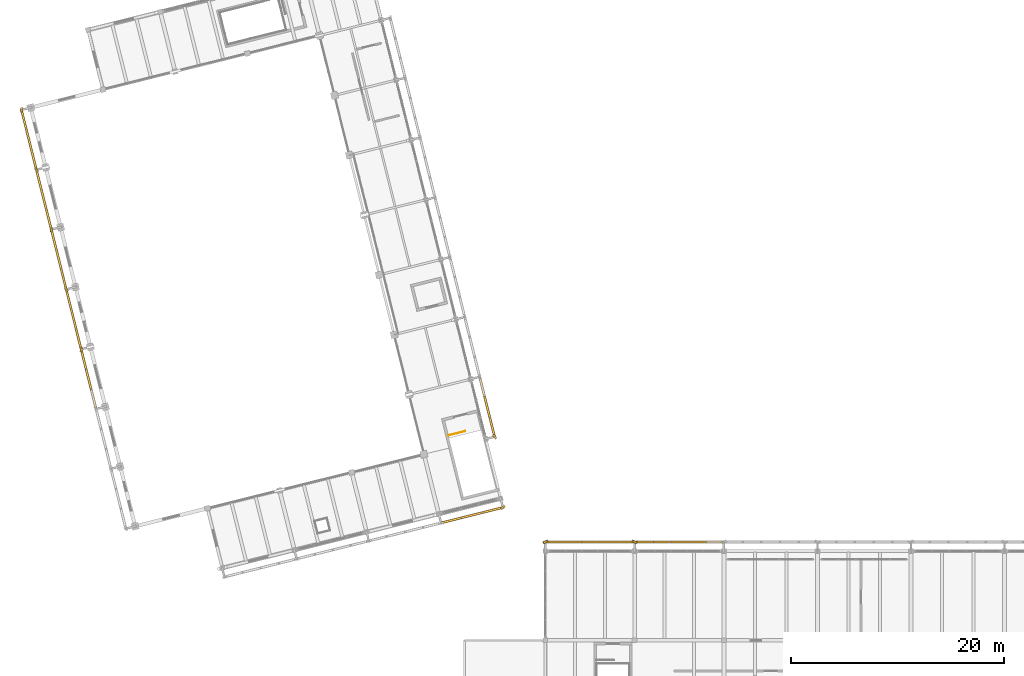
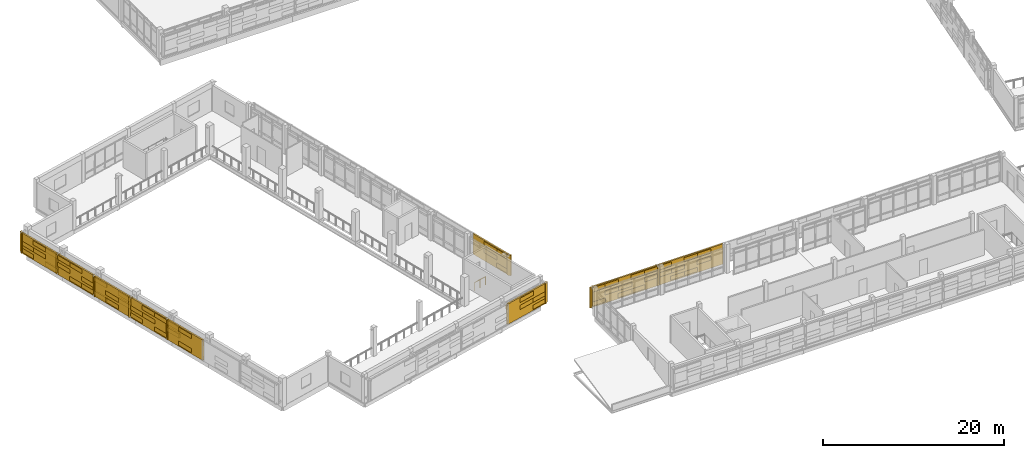
# One storey, part 107 of 117: 64 coverings, 9 shading devices, 1 railing.
"""IFC4 building model written with IfcOpenShell, lengths in metres."""

from ifc_helpers import new_model, si_unit, direction, frame, origin, origin_2d, place, context, subcontext, project, spatial, rectangle, circle, extrude, material, layer, layer_set, type_object, element, save


model = new_model("IFC4")

# Units and contexts
model_context = context("Model", 3, precision=1e-05, world=origin(), true_north=direction((0.0, 1.0)))
body_context = subcontext(model_context, "Body", "Model", "MODEL_VIEW")
ifc_project = project(units=[si_unit("LENGTHUNIT", "METRE"), si_unit("AREAUNIT", "SQUARE_METRE"), si_unit("VOLUMEUNIT", "CUBIC_METRE"), si_unit("PLANEANGLEUNIT", "RADIAN"), si_unit("MASSUNIT", "GRAM", prefix="KILO")], contexts=[model_context])

# Site, building, storey
site_placement = place(None, origin())
site = spatial("IfcSite", under=ifc_project, at=site_placement, CompositionType="ELEMENT")
building_placement = place(site_placement, origin())
building = spatial("IfcBuilding", under=site, at=building_placement, Name="Cinderway Yard Community Centre", CompositionType="ELEMENT")
storey_placement = place(building_placement, frame((0.0, 0.0, 9.0)))
storey = spatial("IfcBuildingStorey", under=building, at=storey_placement, Name="L02", CompositionType="ELEMENT", Elevation=9.0)

# Coverings
ifc_material_1 = material(Name="Brick Masonry", Category="masonry")
ifc_layer = layer(ifc_material_1, 0.18994140625, Name="Brick Masonry")
ifc_layer_set = layer_set([ifc_layer], Name="Brick Masonry")
covering_type = type_object("IfcCoveringType", Name="ENV-COV-BRK-SCREEN", PredefinedType="CLADDING", material=ifc_layer_set)
for number, where, z_axis, x_axis, name in (
    (1, (58.39990234375, 23.64990234375, 0.64990234375), (0.0, 0.0, 1.0), (0.913545457643, 0.406736643076, 0.0), "Deconstructivist folded brick fin 0946"),
    (2, (66.800048828125, 23.64990234375, 0.64990234375), (0.0, 0.0, 1.0), (0.913545457643, -0.406736643076, 0.0), "Deconstructivist folded brick fin 0947"),
):
    element("IfcCovering", number, at=place(storey_placement, frame(where, z_axis=z_axis, x_axis=x_axis)), inside=storey, type_object=covering_type, Name=name, PredefinedType="CLADDING", context=body_context, shape_type="SweptSolid", body=[
        extrude(rectangle(XDim=0.4599609375, YDim=0.199951171875, at=origin_2d()), origin(), (0.0, 0.0, 1.0), 2.75),
    ])
for number, where, z_axis, x_axis, name in (
    (3, (59.239990234375, 23.64990234375, 0.79052734375), (0.0, 0.0, 1.0), (1.0, 0.0, 0.0), "Open-bond perforated brick screen course 00953"),
    (4, (62.60009765625, 23.64990234375, 0.79052734375), (0.0, 0.0, 1.0), (1.0, 0.0, 0.0), "Open-bond perforated brick screen course 00954"),
    (5, (64.280029296875, 23.64990234375, 0.79052734375), (0.0, 0.0, 1.0), (1.0, 0.0, 0.0), "Open-bond perforated brick screen course 00955"),
    (6, (60.919921875, 23.64990234375, 1.736328125), (0.0, 0.0, 1.0), (1.0, 0.0, 0.0), "Open-bond perforated brick screen course 00956"),
    (7, (62.60009765625, 23.64990234375, 1.736328125), (0.0, 0.0, 1.0), (1.0, 0.0, 0.0), "Open-bond perforated brick screen course 00957"),
    (8, (65.9599609375, 23.64990234375, 1.736328125), (0.0, 0.0, 1.0), (1.0, 0.0, 0.0), "Open-bond perforated brick screen course 00958"),
    (9, (59.239990234375, 23.64990234375, 2.6826171875), (0.0, 0.0, 1.0), (1.0, 0.0, 0.0), "Open-bond perforated brick screen course 00959"),
    (10, (60.919921875, 23.64990234375, 2.6826171875), (0.0, 0.0, 1.0), (1.0, 0.0, 0.0), "Open-bond perforated brick screen course 00960"),
    (11, (64.280029296875, 23.64990234375, 2.6826171875), (0.0, 0.0, 1.0), (1.0, 0.0, 0.0), "Open-bond perforated brick screen course 00961"),
    (12, (65.9599609375, 23.64990234375, 2.6826171875), (0.0, 0.0, 1.0), (1.0, 0.0, 0.0), "Open-bond perforated brick screen course 00962"),
    (13, (69.320068359375, 23.64990234375, 0.79052734375), (0.0, 0.0, 1.0), (1.0, 0.0, 0.0), "Open-bond perforated brick screen course 00963"),
    (14, (71.0, 23.64990234375, 0.79052734375), (0.0, 0.0, 1.0), (1.0, 0.0, 0.0), "Open-bond perforated brick screen course 00964"),
    (15, (67.639892578125, 23.64990234375, 1.736328125), (0.0, 0.0, 1.0), (1.0, 0.0, 0.0), "Open-bond perforated brick screen course 00966"),
    (16, (69.320068359375, 23.64990234375, 1.736328125), (0.0, 0.0, 1.0), (1.0, 0.0, 0.0), "Open-bond perforated brick screen course 00967"),
    (17, (72.679931640625, 23.64990234375, 1.736328125), (0.0, 0.0, 1.0), (1.0, 0.0, 0.0), "Open-bond perforated brick screen course 00968"),
    (18, (67.639892578125, 23.64990234375, 2.6826171875), (0.0, 0.0, 1.0), (1.0, 0.0, 0.0), "Open-bond perforated brick screen course 00970"),
    (19, (71.0, 23.64990234375, 2.6826171875), (0.0, 0.0, 1.0), (1.0, 0.0, 0.0), "Open-bond perforated brick screen course 00971"),
    (20, (72.679931640625, 23.64990234375, 2.6826171875), (0.0, 0.0, 1.0), (1.0, 0.0, 0.0), "Open-bond perforated brick screen course 00972"),
):
    element("IfcCovering", number, at=place(storey_placement, frame(where, z_axis=z_axis, x_axis=x_axis)), inside=storey, type_object=covering_type, Name=name, PredefinedType="CLADDING", context=body_context, shape_type="SweptSolid", body=[
        extrude(rectangle(XDim=1.760009765625, YDim=0.18994140625, at=origin_2d()), origin(), (0.0, 0.0, 1.0), 0.576904296875),
    ])
for number, where, z_axis, x_axis, name in (
    (21, (14.72705078125, 41.781982421875, 0.64990234375), (0.0, 0.0, 1.0), (0.173648177667, 0.984807753012, 0.0), "Deconstructivist folded brick fin 1151"),
    (22, (13.323974609375, 47.409912109375, 0.64990234375), (0.0, 0.0, 1.0), (-0.615661475326, 0.788010753607, 0.0), "Deconstructivist folded brick fin 1152"),
    (23, (11.9208984375, 53.037109375, 0.64990234375), (0.0, 0.0, 1.0), (0.173648177667, 0.984807753012, 0.0), "Deconstructivist folded brick fin 1153"),
    (24, (10.51806640625, 58.6650390625, 0.64990234375), (0.0, 0.0, 1.0), (-0.615661475326, 0.788010753607, 0.0), "Deconstructivist folded brick fin 1154"),
    (25, (9.114013671875, 64.29296875, 0.64990234375), (0.0, 0.0, 1.0), (0.173648177667, 0.984807753012, 0.0), "Deconstructivist folded brick fin 1155"),
):
    element("IfcCovering", number, at=place(storey_placement, frame(where, z_axis=z_axis, x_axis=x_axis)), inside=storey, type_object=covering_type, Name=name, PredefinedType="CLADDING", context=body_context, shape_type="SweptSolid", body=[
        extrude(rectangle(XDim=0.4599609375, YDim=0.199951171875, at=origin_2d()), origin(), (0.0, 0.0, 1.0), 2.75),
    ])
for number, where, z_axis, x_axis, name in (
    (26, (15.427978515625, 38.968017578125, 0.79052734375), (0.0, 0.0, 1.0), (-0.2419218956, 0.970295726276, 0.0), "Open-bond perforated brick screen course 01169"),
    (27, (14.9609375, 40.843994140625, 1.736328125), (0.0, 0.0, 1.0), (-0.2419218956, 0.970295726276, 0.0), "Open-bond perforated brick screen course 01171"),
    (28, (15.427978515625, 38.968017578125, 2.6826171875), (0.0, 0.0, 1.0), (-0.2419218956, 0.970295726276, 0.0), "Open-bond perforated brick screen course 01172"),
    (29, (14.9609375, 40.843994140625, 2.6826171875), (0.0, 0.0, 1.0), (-0.2419218956, 0.970295726276, 0.0), "Open-bond perforated brick screen course 01173"),
    (30, (14.492919921875, 42.719970703125, 0.79052734375), (0.0, 0.0, 1.0), (-0.2419218956, 0.970295726276, 0.0), "Open-bond perforated brick screen course 01174"),
    (31, (13.55810546875, 46.471923828125, 0.79052734375), (0.0, 0.0, 1.0), (-0.2419218956, 0.970295726276, 0.0), "Open-bond perforated brick screen course 01175"),
    (32, (14.02587890625, 44.595947265625, 1.736328125), (0.0, 0.0, 1.0), (-0.2419218956, 0.970295726276, 0.0), "Open-bond perforated brick screen course 01176"),
    (33, (13.55810546875, 46.471923828125, 1.736328125), (0.0, 0.0, 1.0), (-0.2419218956, 0.970295726276, 0.0), "Open-bond perforated brick screen course 01177"),
    (34, (14.492919921875, 42.719970703125, 2.6826171875), (0.0, 0.0, 1.0), (-0.2419218956, 0.970295726276, 0.0), "Open-bond perforated brick screen course 01178"),
    (35, (14.02587890625, 44.595947265625, 2.6826171875), (0.0, 0.0, 1.0), (-0.2419218956, 0.970295726276, 0.0), "Open-bond perforated brick screen course 01179"),
    (36, (12.6220703125, 50.22412109375, 0.79052734375), (0.0, 0.0, 1.0), (-0.2419218956, 0.970295726276, 0.0), "Open-bond perforated brick screen course 01180"),
    (37, (12.155029296875, 52.09912109375, 0.79052734375), (0.0, 0.0, 1.0), (-0.2419218956, 0.970295726276, 0.0), "Open-bond perforated brick screen course 01181"),
    (38, (13.090087890625, 48.347900390625, 1.736328125), (0.0, 0.0, 1.0), (-0.2419218956, 0.970295726276, 0.0), "Open-bond perforated brick screen course 01182"),
    (39, (12.6220703125, 50.22412109375, 1.736328125), (0.0, 0.0, 1.0), (-0.2419218956, 0.970295726276, 0.0), "Open-bond perforated brick screen course 01183"),
    (40, (13.090087890625, 48.347900390625, 2.6826171875), (0.0, 0.0, 1.0), (-0.2419218956, 0.970295726276, 0.0), "Open-bond perforated brick screen course 01184"),
    (41, (12.155029296875, 52.09912109375, 2.6826171875), (0.0, 0.0, 1.0), (-0.2419218956, 0.970295726276, 0.0), "Open-bond perforated brick screen course 01185"),
    (42, (11.68701171875, 53.97509765625, 0.79052734375), (0.0, 0.0, 1.0), (-0.2419218956, 0.970295726276, 0.0), "Open-bond perforated brick screen course 01186"),
    (43, (11.219970703125, 55.85107421875, 0.79052734375), (0.0, 0.0, 1.0), (-0.2419218956, 0.970295726276, 0.0), "Open-bond perforated brick screen course 01187"),
    (44, (11.68701171875, 53.97509765625, 1.736328125), (0.0, 0.0, 1.0), (-0.2419218956, 0.970295726276, 0.0), "Open-bond perforated brick screen course 01188"),
    (45, (10.751953125, 57.72705078125, 1.736328125), (0.0, 0.0, 1.0), (-0.2419218956, 0.970295726276, 0.0), "Open-bond perforated brick screen course 01189"),
    (46, (11.219970703125, 55.85107421875, 2.6826171875), (0.0, 0.0, 1.0), (-0.2419218956, 0.970295726276, 0.0), "Open-bond perforated brick screen course 01190"),
    (47, (10.751953125, 57.72705078125, 2.6826171875), (0.0, 0.0, 1.0), (-0.2419218956, 0.970295726276, 0.0), "Open-bond perforated brick screen course 01191"),
    (48, (10.283935546875, 59.60302734375, 0.79052734375), (0.0, 0.0, 1.0), (-0.2419218956, 0.970295726276, 0.0), "Open-bond perforated brick screen course 01192"),
    (49, (9.347900390625, 63.35498046875, 0.79052734375), (0.0, 0.0, 1.0), (-0.2419218956, 0.970295726276, 0.0), "Open-bond perforated brick screen course 01193"),
    (50, (9.81591796875, 61.47900390625, 1.736328125), (0.0, 0.0, 1.0), (-0.2419218956, 0.970295726276, 0.0), "Open-bond perforated brick screen course 01194"),
    (51, (9.347900390625, 63.35498046875, 1.736328125), (0.0, 0.0, 1.0), (-0.2419218956, 0.970295726276, 0.0), "Open-bond perforated brick screen course 01195"),
    (52, (10.283935546875, 59.60302734375, 2.6826171875), (0.0, 0.0, 1.0), (-0.2419218956, 0.970295726276, 0.0), "Open-bond perforated brick screen course 01196"),
    (53, (9.81591796875, 61.47900390625, 2.6826171875), (0.0, 0.0, 1.0), (-0.2419218956, 0.970295726276, 0.0), "Open-bond perforated brick screen course 01197"),
):
    element("IfcCovering", number, at=place(storey_placement, frame(where, z_axis=z_axis, x_axis=x_axis)), inside=storey, type_object=covering_type, Name=name, PredefinedType="CLADDING", context=body_context, shape_type="SweptSolid", body=[
        extrude(rectangle(XDim=2.012939453125, YDim=0.18994140625, at=origin_2d()), origin(), (0.0, 0.0, 1.0), 0.576904296875),
    ])
covering_1_placement = place(storey_placement, frame((53.6240234375, 33.548095703125, 0.64990234375), z_axis=(0.0, 0.0, 1.0), x_axis=(0.615661475326, -0.788010753607, 0.0)))
element("IfcCovering", 54, at=covering_1_placement, inside=storey, type_object=covering_type, Name="Deconstructivist folded brick fin 1198", PredefinedType="CLADDING", context=body_context, shape_type="SweptSolid", body=[
    extrude(rectangle(XDim=0.4599609375, YDim=0.199951171875, at=origin_2d()), origin(), (0.0, 0.0, 1.0), 2.75),
])
for number, where, z_axis, x_axis, name in (
    (55, (53.389892578125, 34.486083984375, 0.79052734375), (0.0, 0.0, 1.0), (0.2419218956, -0.970295726276, 0.0), "Open-bond perforated brick screen course 01206"),
    (56, (52.922119140625, 36.362060546875, 1.736328125), (0.0, 0.0, 1.0), (0.2419218956, -0.970295726276, 0.0), "Open-bond perforated brick screen course 01208"),
    (57, (53.389892578125, 34.486083984375, 2.6826171875), (0.0, 0.0, 1.0), (0.2419218956, -0.970295726276, 0.0), "Open-bond perforated brick screen course 01210"),
    (58, (52.922119140625, 36.362060546875, 2.6826171875), (0.0, 0.0, 1.0), (0.2419218956, -0.970295726276, 0.0), "Open-bond perforated brick screen course 01211"),
):
    element("IfcCovering", number, at=place(storey_placement, frame(where, z_axis=z_axis, x_axis=x_axis)), inside=storey, type_object=covering_type, Name=name, PredefinedType="CLADDING", context=body_context, shape_type="SweptSolid", body=[
        extrude(rectangle(XDim=2.012939453125, YDim=0.18994140625, at=origin_2d()), origin(), (0.0, 0.0, 1.0), 0.576904296875),
    ])
covering_2_placement = place(storey_placement, frame((54.408935546875, 26.888916015625, 0.64990234375), z_axis=(0.0, 0.0, 1.0), x_axis=(-0.788010753607, -0.615661475326, 0.0)))
element("IfcCovering", 59, at=covering_2_placement, inside=storey, type_object=covering_type, Name="Deconstructivist folded brick fin 1252", PredefinedType="CLADDING", context=body_context, shape_type="SweptSolid", body=[
    extrude(rectangle(XDim=0.4599609375, YDim=0.199951171875, at=origin_2d()), origin(), (0.0, 0.0, 1.0), 2.75),
])
for number, where, z_axis, x_axis, name in (
    (60, (53.43896484375, 26.64697265625, 0.79052734375), (0.0, 0.0, 1.0), (-0.970295726276, -0.2419218956, 0.0), "Open-bond perforated brick screen course 01278"),
    (61, (51.498046875, 26.1630859375, 1.736328125), (0.0, 0.0, 1.0), (-0.970295726276, -0.2419218956, 0.0), "Open-bond perforated brick screen course 01279"),
    (62, (53.43896484375, 26.64697265625, 1.736328125), (0.0, 0.0, 1.0), (-0.970295726276, -0.2419218956, 0.0), "Open-bond perforated brick screen course 01280"),
    (63, (49.556884765625, 25.679931640625, 2.6826171875), (0.0, 0.0, 1.0), (-0.970295726276, -0.2419218956, 0.0), "Open-bond perforated brick screen course 01281"),
    (64, (51.498046875, 26.1630859375, 2.6826171875), (0.0, 0.0, 1.0), (-0.970295726276, -0.2419218956, 0.0), "Open-bond perforated brick screen course 01282"),
):
    element("IfcCovering", number, at=place(storey_placement, frame(where, z_axis=z_axis, x_axis=x_axis)), inside=storey, type_object=covering_type, Name=name, PredefinedType="CLADDING", context=body_context, shape_type="SweptSolid", body=[
        extrude(rectangle(XDim=2.080078125, YDim=0.18994140625, at=origin_2d()), origin(), (0.0, 0.0, 1.0), 0.576904296875),
    ])

# Shading devices
shading_device_type_1 = type_object("IfcShadingDeviceType", Name="ENV-SHD-BRICKSCREEN-A", PredefinedType="USERDEFINED", material=ifc_material_1)
for number, where, z_axis, x_axis, name in (
    (65, (62.60009765625, 23.64990234375, 0.64990234375), (0.0, 0.0, 1.0), (1.0, 0.0, 0.0), "V3 Courtyard Perforated Brick Screen 0699"),
    (66, (71.0, 23.64990234375, 0.64990234375), (0.0, 0.0, 1.0), (1.0, 0.0, 0.0), "V3 Courtyard Perforated Brick Screen 0707"),
):
    element("IfcShadingDevice", number, at=place(storey_placement, frame(where, z_axis=z_axis, x_axis=x_axis)), inside=storey, type_object=shading_device_type_1, Name=name, ObjectType="PERFORATED BRICK SCREEN", PredefinedType="USERDEFINED", context=body_context, shape_type="SweptSolid", body=[
        extrude(rectangle(XDim=8.199951171875, YDim=0.18994140625, at=origin_2d()), origin(), (0.0, 0.0, 1.0), 2.75),
    ])
shading_device_type_2 = type_object("IfcShadingDeviceType", Name="ENV-SHD-BRICKSCREEN-B", PredefinedType="USERDEFINED", material=ifc_material_1)
for number, where, z_axis, x_axis, name in (
    (67, (15.427978515625, 38.968017578125, 0.64990234375), (0.0, 0.0, 1.0), (-0.2419218956, 0.970295726276, 0.0), "Main Hall West Perforated Brick Screen 0872"),
    (68, (14.02587890625, 44.595947265625, 0.64990234375), (0.0, 0.0, 1.0), (-0.2419218956, 0.970295726276, 0.0), "Main Hall West Perforated Brick Screen 0878"),
):
    element("IfcShadingDevice", number, at=place(storey_placement, frame(where, z_axis=z_axis, x_axis=x_axis)), inside=storey, type_object=shading_device_type_2, Name=name, ObjectType="PERFORATED BRICK SCREEN", PredefinedType="USERDEFINED", context=body_context, shape_type="SweptSolid", body=[
        extrude(rectangle(XDim=5.60009765625, YDim=0.18994140625, at=origin_2d()), origin(), (0.0, 0.0, 1.0), 2.75),
    ])
shading_device_1_placement = place(storey_placement, frame((12.6220703125, 50.22412109375, 0.64990234375), z_axis=(0.0, 0.0, 1.0), x_axis=(-0.2419218956, 0.970295726276, 0.0)))
element("IfcShadingDevice", 69, at=shading_device_1_placement, inside=storey, type_object=shading_device_type_2, Name="Main Hall West Perforated Brick Screen 0884", ObjectType="PERFORATED BRICK SCREEN", PredefinedType="USERDEFINED", context=body_context, shape_type="SweptSolid", body=[
    extrude(rectangle(XDim=5.59912109375, YDim=0.18994140625, at=origin_2d()), origin(), (0.0, 0.0, 1.0), 2.75),
])
for number, where, z_axis, x_axis, name in (
    (70, (11.219970703125, 55.85107421875, 0.64990234375), (0.0, 0.0, 1.0), (-0.2419218956, 0.970295726276, 0.0), "Main Hall West Perforated Brick Screen 0890"),
    (71, (9.81591796875, 61.47900390625, 0.64990234375), (0.0, 0.0, 1.0), (-0.2419218956, 0.970295726276, 0.0), "Main Hall West Perforated Brick Screen 0896"),
    (72, (52.922119140625, 36.362060546875, 0.64990234375), (0.0, 0.0, 1.0), (0.2419218956, -0.970295726276, 0.0), "Main Hall Courtyard Perforated Brick Screen 0903"),
):
    element("IfcShadingDevice", number, at=place(storey_placement, frame(where, z_axis=z_axis, x_axis=x_axis)), inside=storey, type_object=shading_device_type_2, Name=name, ObjectType="PERFORATED BRICK SCREEN", PredefinedType="USERDEFINED", context=body_context, shape_type="SweptSolid", body=[
        extrude(rectangle(XDim=5.60009765625, YDim=0.18994140625, at=origin_2d()), origin(), (0.0, 0.0, 1.0), 2.75),
    ])
shading_device_2_placement = place(storey_placement, frame((51.498046875, 26.1630859375, 0.64990234375), z_axis=(0.0, 0.0, 1.0), x_axis=(-0.970295726276, -0.2419218956, 0.0)))
element("IfcShadingDevice", 73, at=shading_device_2_placement, inside=storey, type_object=shading_device_type_2, Name="Sanctuary South Perforated Brick Screen 0967", ObjectType="PERFORATED BRICK SCREEN", PredefinedType="USERDEFINED", context=body_context, shape_type="SweptSolid", body=[
    extrude(rectangle(XDim=5.800048828125, YDim=0.18994140625, at=origin_2d()), origin(), (0.0, 0.0, 1.0), 2.75),
])

# Railing
ifc_material_2 = material(Name="Painted Galvanised Steel", Category="steel")
railing_type = type_object("IfcRailingType", Name="INT-RAL-GRD112", PredefinedType="GUARDRAIL", material=ifc_material_2)
railing_placement = place(storey_placement, frame((49.265869140625, 33.66748046875, 0.0)))
element("IfcRailing", 74, at=railing_placement, inside=storey, type_object=railing_type, Name="L02 ST-05 top well guard 1", PredefinedType="GUARDRAIL", context=body_context, shape_type="SweptSolid", body=[
    extrude(circle(Radius=0.02392578125, at=origin_2d()), frame((0.0, 0.0, 1.076171875), z_axis=(0.970299916687, 0.241905088158, 0.0), x_axis=(-0.241905088158, 0.970299916687, 0.0)), (0.0, 0.0, 1.0), 1.64013671875),
    extrude(circle(Radius=0.02099609375, at=origin_2d()), origin(), (0.0, 0.0, 1.0), 1.052001953125),
    extrude(circle(Radius=0.02099609375, at=origin_2d()), frame((0.795654296875, 0.1982421875, 0.0)), (0.0, 0.0, 1.0), 1.052001953125),
    extrude(circle(Radius=0.02099609375, at=origin_2d()), frame((1.59130859375, 0.396728515625, 0.0)), (0.0, 0.0, 1.0), 1.052001953125),
])

save(model, "model.ifc")
